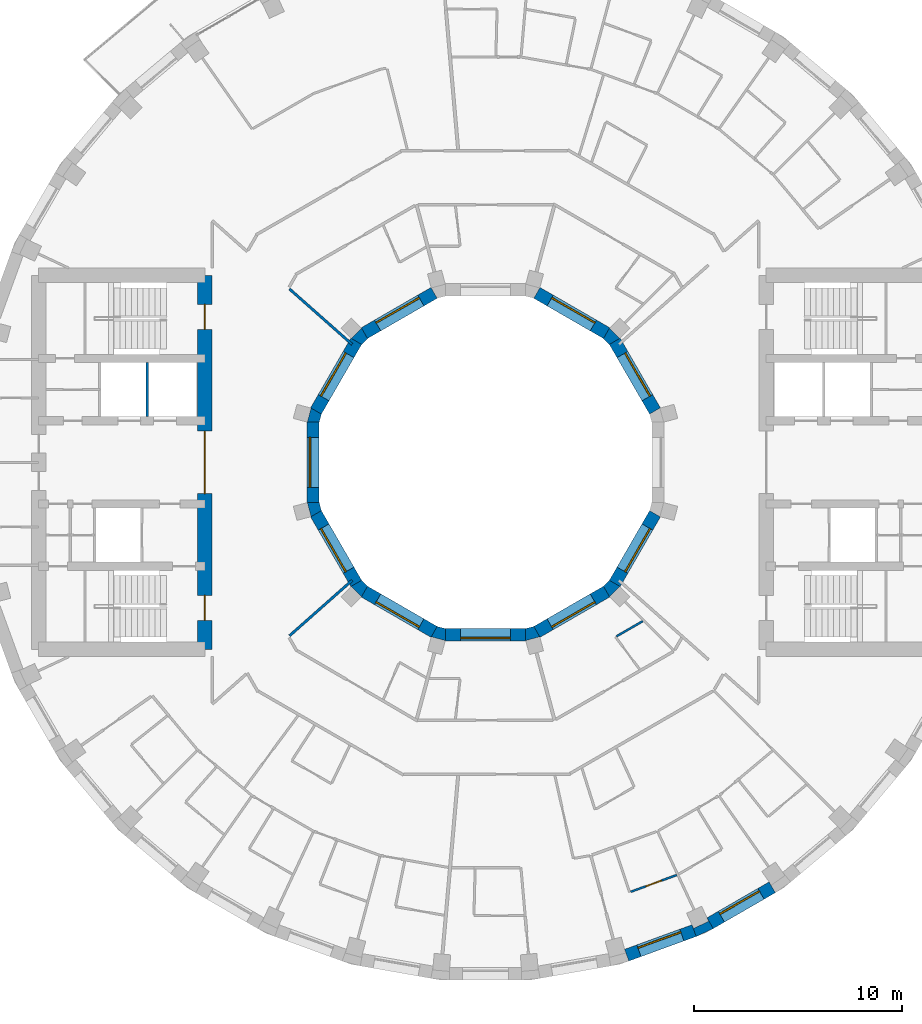
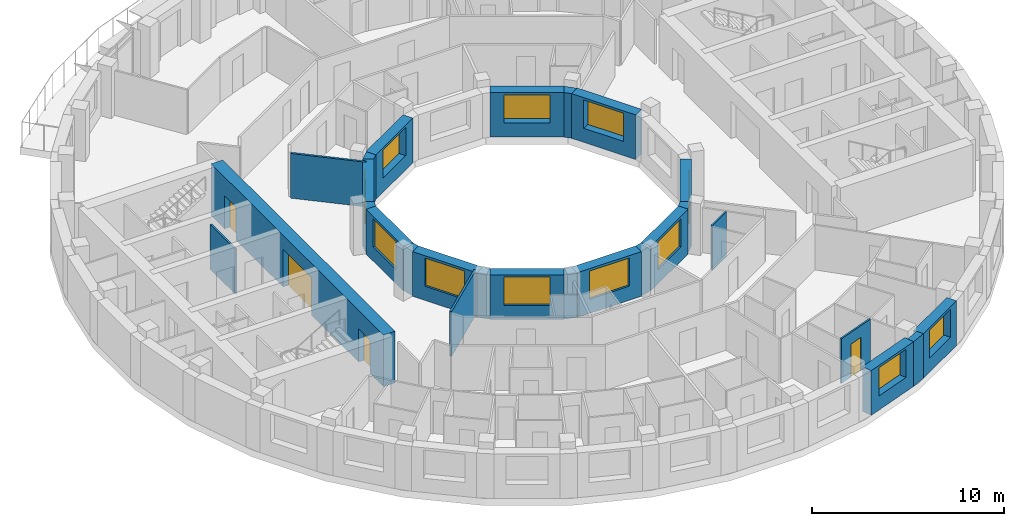
# One storey, part 7 of 14: 27 walls, 12 windows, 4 doors, 16 openings.
"""IFC4 building model written with IfcOpenShell, lengths in metres."""

from ifc_helpers import new_model, si_unit, direction, frame, frame_2d, origin, place, context, subcontext, project, spatial, polyline, rectangle, outline, extrude, material, layer, layer_set, type_object, element, fill, save


model = new_model("IFC4")

# Units and contexts
model_context = context("Model", 3, precision=1e-05, world=origin(), true_north=direction((0.0, 1.0)))
body_context = subcontext(model_context, "Body", "Model", "MODEL_VIEW")
ifc_project = project(units=[si_unit("LENGTHUNIT", "METRE"), si_unit("AREAUNIT", "SQUARE_METRE"), si_unit("VOLUMEUNIT", "CUBIC_METRE"), si_unit("PLANEANGLEUNIT", "RADIAN"), si_unit("MASSUNIT", "GRAM", prefix="KILO")], contexts=[model_context])

# Site, building, storey
site_placement = place(None, origin())
site = spatial("IfcSite", under=ifc_project, at=site_placement, CompositionType="ELEMENT")
building_placement = place(site_placement, origin())
building = spatial("IfcBuilding", under=site, at=building_placement, Name="Saqina Gate Tower", CompositionType="ELEMENT")
storey_placement = place(building_placement, frame((0.0, 0.0, 213.60009765625)))
storey = spatial("IfcBuildingStorey", under=building, at=storey_placement, Name="L61", CompositionType="ELEMENT", Elevation=213.60009765625)

# Wall
ifc_material_1 = material(Name="Brick masonry (buff)", Category="masonry")
wall_type_1 = type_object("IfcWallType", Name="BRICK PIER COPING BUFF", PredefinedType="SOLIDWALL", material=ifc_material_1)
wall_1_placement = place(storey_placement, origin())
element("IfcWall", 1, at=wall_1_placement, inside=storey, type_object=wall_type_1, Name="Pier cap L61 column 30", PredefinedType="SOLIDWALL", context=body_context, shape_type="SweptSolid", body=[
    extrude(outline(polyline([(10.958740234375, -22.4306640625), (10.65869140625, -21.9111328125), (10.73779296875, -22.080810546875), (10.0126953125, -22.4189453125), (9.93359375, -22.249267578125), (10.138916015625, -22.81298828125), (10.958740234375, -22.4306640625)])), origin(), (0.0, 0.0, 1.0), 2.849853515625),
])

# Wall, opening, window
ifc_material_2 = material(Name="Brick masonry (buff)", Category="masonry")
ifc_layer_1 = layer(ifc_material_2, 0.60009765625)
ifc_layer_set_1 = layer_set([ifc_layer_1], Name="FW-BRICK-BUFF")
wall_type_2 = type_object("IfcWallType", Name="FW-BRICK-BUFF", PredefinedType="SOLIDWALL", material=ifc_layer_set_1)
wall_2_placement = place(storey_placement, frame((6.79443359375, -23.7109375, 0.0), z_axis=(0.0, 0.0, 1.0), x_axis=(0.93968799822, 0.342032843455, 0.0)))
wall_2 = element("IfcWall", 2, at=wall_2_placement, inside=storey, type_object=wall_type_2, Name="Facade wall L61 facet 29", PredefinedType="SOLIDWALL", context=body_context, shape_type="SweptSolid", body=[
    extrude(rectangle(XDim=3.44970703125, YDim=0.60009765625, at=frame_2d((1.724853515625, 0.0))), origin(), (0.0, 0.0, 1.0), 2.849853515625),
])
opening_1_placement = place(wall_2_placement, frame((0.625, 0.0, 0.89990234375)))
opening_1 = element("IfcOpeningElement", 3, at=opening_1_placement, cuts=wall_2, Name="Opening G18-W18", PredefinedType="OPENING", context=body_context, shape_type="SweptSolid", body=[
    extrude(rectangle(XDim=2.199951171875, YDim=1.800048828125, at=frame_2d((1.10009765625, 0.89990234375))), frame((0.0, 0.31201171875, 0.0), z_axis=(0.0, -1.0, 0.0), x_axis=(1.0, 0.0, 0.0)), (0.0, 0.0, 1.0), 0.6240234375),
])
ifc_material_3 = material(Name="Aluminium glazing", Category="aluminium")
window_type_1 = type_object("IfcWindowType", Name="WN-C", PartitioningType="SINGLE_PANEL", PredefinedType="WINDOW", material=ifc_material_3)
window_1_placement = place(opening_1_placement, origin())
window_1 = element("IfcWindow", 4, at=window_1_placement, inside=storey, type_object=window_type_1, Name="Window L61 facet 29", OverallHeight=1.800048828125, OverallWidth=2.199951171875, PartitioningType="SINGLE_PANEL", PredefinedType="WINDOW", context=body_context, shape_type="SweptSolid", body=[
    extrude(rectangle(XDim=2.199951171875, YDim=1.800048828125, at=frame_2d((1.10009765625, 0.89990234375))), frame((0.0, 0.179931640625, 0.0), z_axis=(0.0, -1.0, 0.0), x_axis=(1.0, 0.0, 0.0)), (0.0, 0.0, 1.0), 0.06005859375),
])
fill(opening_1, window_1)

wall_3_placement = place(storey_placement, frame((10.80859375, -22.1708984375, 0.0), z_axis=(0.0, 0.0, 1.0), x_axis=(0.86602648383, 0.499998129301, 0.0)))
wall_3 = element("IfcWall", 5, at=wall_3_placement, inside=storey, type_object=wall_type_2, Name="Facade wall L61 facet 30", PredefinedType="SOLIDWALL", context=body_context, shape_type="SweptSolid", body=[
    extrude(rectangle(XDim=3.44970703125, YDim=0.60009765625, at=frame_2d((1.724853515625, 0.0))), origin(), (0.0, 0.0, 1.0), 2.849853515625),
])
opening_2_placement = place(wall_3_placement, frame((0.625, 0.0, 0.89990234375)))
opening_2 = element("IfcOpeningElement", 6, at=opening_2_placement, cuts=wall_3, Name="Opening G18-W19", PredefinedType="OPENING", context=body_context, shape_type="SweptSolid", body=[
    extrude(rectangle(XDim=2.199951171875, YDim=1.800048828125, at=frame_2d((1.10009765625, 0.89990234375))), frame((0.0, 0.31201171875, 0.0), z_axis=(0.0, -1.0, 0.0), x_axis=(1.0, 0.0, 0.0)), (0.0, 0.0, 1.0), 0.6240234375),
])
window_2_placement = place(opening_2_placement, origin())
window_2 = element("IfcWindow", 7, at=window_2_placement, inside=storey, type_object=window_type_1, Name="Window L61 facet 30", OverallHeight=1.800048828125, OverallWidth=2.199951171875, PartitioningType="SINGLE_PANEL", PredefinedType="WINDOW", context=body_context, shape_type="SweptSolid", body=[
    extrude(rectangle(XDim=2.199951171875, YDim=1.800048828125, at=frame_2d((1.10009765625, 0.89990234375))), frame((0.0, 0.179931640625, 0.0), z_axis=(0.0, -1.0, 0.0), x_axis=(1.0, 0.0, 0.0)), (0.0, 0.0, 1.0), 0.06005859375),
])
fill(opening_2, window_2)

ifc_material_4 = material(Name="Glazed ceramic tile", Category="ceramic")
ifc_layer_2 = layer(ifc_material_4, 0.60009765625)
ifc_layer_set_2 = layer_set([ifc_layer_2], Name="IW-TILE")
wall_type_3 = type_object("IfcWallType", Name="IW-TILE", PredefinedType="SOLIDWALL", material=ifc_layer_set_2)
wall_4_placement = place(storey_placement, frame((8.155517578125, 2.474365234375, 0.0), z_axis=(0.0, 0.0, 1.0), x_axis=(-0.500033728941, 0.866005929495, 0.0)))
wall_4 = element("IfcWall", 8, at=wall_4_placement, inside=storey, type_object=wall_type_3, Name="Well wall L61 facet 1", PredefinedType="SOLIDWALL", context=body_context, shape_type="SweptSolid", body=[
    extrude(rectangle(XDim=3.869873046875, YDim=0.60009765625, at=frame_2d((1.93505859375, 0.0))), origin(), (0.0, 0.0, 1.0), 2.849853515625),
])
opening_3_placement = place(wall_4_placement, frame((0.73486328125, 0.0, 0.89990234375)))
opening_3 = element("IfcOpeningElement", 9, at=opening_3_placement, cuts=wall_4, Name="Opening G18-W23", PredefinedType="OPENING", context=body_context, shape_type="SweptSolid", body=[
    extrude(rectangle(XDim=2.39990234375, YDim=1.800048828125, at=frame_2d((1.199951171875, 0.89990234375))), frame((0.0, 0.31201171875, 0.0), z_axis=(0.0, -1.0, 0.0), x_axis=(1.0, 0.0, 0.0)), (0.0, 0.0, 1.0), 0.6240234375),
])
ifc_material_5 = material(Name="Aluminium glazing", Category="aluminium")
window_type_2 = type_object("IfcWindowType", Name="WN-W", PartitioningType="SINGLE_PANEL", PredefinedType="WINDOW", material=ifc_material_5)
window_3_placement = place(opening_3_placement, origin())
window_3 = element("IfcWindow", 10, at=window_3_placement, inside=storey, type_object=window_type_2, Name="Well window L61 facet 1", OverallHeight=1.800048828125, OverallWidth=2.39990234375, PartitioningType="SINGLE_PANEL", PredefinedType="WINDOW", context=body_context, shape_type="SweptSolid", body=[
    extrude(rectangle(XDim=2.39990234375, YDim=1.800048828125, at=frame_2d((1.199951171875, 0.89990234375))), frame((0.0, -0.119873046875, 0.0), z_axis=(0.0, -1.0, 0.0), x_axis=(1.0, 0.0, 0.0)), (0.0, 0.0, 1.0), 0.06005859375),
])
fill(opening_3, window_3)

wall_5_placement = place(storey_placement, frame((5.82568359375, 6.220458984375, 0.0), z_axis=(0.0, 0.0, 1.0), x_axis=(-0.866005929495, 0.500033728941, 0.0)))
wall_5 = element("IfcWall", 11, at=wall_5_placement, inside=storey, type_object=wall_type_3, Name="Well wall L61 facet 2", PredefinedType="SOLIDWALL", context=body_context, shape_type="SweptSolid", body=[
    extrude(rectangle(XDim=3.869873046875, YDim=0.60009765625, at=frame_2d((1.93505859375, 0.0))), origin(), (0.0, 0.0, 1.0), 2.849853515625),
])
opening_4_placement = place(wall_5_placement, frame((0.73486328125, 0.0, 0.89990234375)))
opening_4 = element("IfcOpeningElement", 12, at=opening_4_placement, cuts=wall_5, Name="Opening G18-W24", PredefinedType="OPENING", context=body_context, shape_type="SweptSolid", body=[
    extrude(rectangle(XDim=2.39990234375, YDim=1.800048828125, at=frame_2d((1.199951171875, 0.89990234375))), frame((0.0, 0.31201171875, 0.0), z_axis=(0.0, -1.0, 0.0), x_axis=(1.0, 0.0, 0.0)), (0.0, 0.0, 1.0), 0.6240234375),
])
window_4_placement = place(opening_4_placement, origin())
window_4 = element("IfcWindow", 13, at=window_4_placement, inside=storey, type_object=window_type_2, Name="Well window L61 facet 2", OverallHeight=1.800048828125, OverallWidth=2.39990234375, PartitioningType="SINGLE_PANEL", PredefinedType="WINDOW", context=body_context, shape_type="SweptSolid", body=[
    extrude(rectangle(XDim=2.39990234375, YDim=1.800048828125, at=frame_2d((1.199951171875, 0.89990234375))), frame((0.0, -0.119873046875, 0.0), z_axis=(0.0, -1.0, 0.0), x_axis=(1.0, 0.0, 0.0)), (0.0, 0.0, 1.0), 0.06005859375),
])
fill(opening_4, window_4)

wall_6_placement = place(storey_placement, frame((-2.474365234375, 8.155517578125, 0.0), z_axis=(0.0, 0.0, 1.0), x_axis=(-0.866005929495, -0.500033728941, 0.0)))
wall_6 = element("IfcWall", 14, at=wall_6_placement, inside=storey, type_object=wall_type_3, Name="Well wall L61 facet 4", PredefinedType="SOLIDWALL", context=body_context, shape_type="SweptSolid", body=[
    extrude(rectangle(XDim=3.869873046875, YDim=0.60009765625, at=frame_2d((1.93505859375, 0.0))), origin(), (0.0, 0.0, 1.0), 2.849853515625),
])
opening_5_placement = place(wall_6_placement, frame((0.73486328125, 0.0, 0.89990234375)))
opening_5 = element("IfcOpeningElement", 15, at=opening_5_placement, cuts=wall_6, Name="Opening G18-W26", PredefinedType="OPENING", context=body_context, shape_type="SweptSolid", body=[
    extrude(rectangle(XDim=2.39990234375, YDim=1.800048828125, at=frame_2d((1.199951171875, 0.89990234375))), frame((0.0, 0.31201171875, 0.0), z_axis=(0.0, -1.0, 0.0), x_axis=(1.0, 0.0, 0.0)), (0.0, 0.0, 1.0), 0.6240234375),
])
window_5_placement = place(opening_5_placement, origin())
window_5 = element("IfcWindow", 16, at=window_5_placement, inside=storey, type_object=window_type_2, Name="Well window L61 facet 4", OverallHeight=1.800048828125, OverallWidth=2.39990234375, PartitioningType="SINGLE_PANEL", PredefinedType="WINDOW", context=body_context, shape_type="SweptSolid", body=[
    extrude(rectangle(XDim=2.39990234375, YDim=1.800048828125, at=frame_2d((1.199951171875, 0.89990234375))), frame((0.0, -0.119873046875, 0.0), z_axis=(0.0, -1.0, 0.0), x_axis=(1.0, 0.0, 0.0)), (0.0, 0.0, 1.0), 0.06005859375),
])
fill(opening_5, window_5)

wall_7_placement = place(storey_placement, frame((-6.220458984375, 5.82568359375, 0.0), z_axis=(0.0, 0.0, 1.0), x_axis=(-0.500033728941, -0.866005929495, 0.0)))
wall_7 = element("IfcWall", 17, at=wall_7_placement, inside=storey, type_object=wall_type_3, Name="Well wall L61 facet 5", PredefinedType="SOLIDWALL", context=body_context, shape_type="SweptSolid", body=[
    extrude(rectangle(XDim=3.869873046875, YDim=0.60009765625, at=frame_2d((1.93505859375, 0.0))), origin(), (0.0, 0.0, 1.0), 2.849853515625),
])
opening_6_placement = place(wall_7_placement, frame((0.73486328125, 0.0, 0.89990234375)))
opening_6 = element("IfcOpeningElement", 18, at=opening_6_placement, cuts=wall_7, Name="Opening G18-W27", PredefinedType="OPENING", context=body_context, shape_type="SweptSolid", body=[
    extrude(rectangle(XDim=2.39990234375, YDim=1.800048828125, at=frame_2d((1.199951171875, 0.89990234375))), frame((0.0, 0.31201171875, 0.0), z_axis=(0.0, -1.0, 0.0), x_axis=(1.0, 0.0, 0.0)), (0.0, 0.0, 1.0), 0.6240234375),
])
window_6_placement = place(opening_6_placement, origin())
window_6 = element("IfcWindow", 19, at=window_6_placement, inside=storey, type_object=window_type_2, Name="Well window L61 facet 5", OverallHeight=1.800048828125, OverallWidth=2.39990234375, PartitioningType="SINGLE_PANEL", PredefinedType="WINDOW", context=body_context, shape_type="SweptSolid", body=[
    extrude(rectangle(XDim=2.39990234375, YDim=1.800048828125, at=frame_2d((1.199951171875, 0.89990234375))), frame((0.0, -0.119873046875, 0.0), z_axis=(0.0, -1.0, 0.0), x_axis=(1.0, 0.0, 0.0)), (0.0, 0.0, 1.0), 0.06005859375),
])
fill(opening_6, window_6)

wall_8_placement = place(storey_placement, frame((-8.300048828125, 1.934814453125, 0.0), z_axis=(0.0, 0.0, 1.0), x_axis=(0.0, -1.0, 0.0)))
wall_8 = element("IfcWall", 20, at=wall_8_placement, inside=storey, type_object=wall_type_3, Name="Well wall L61 facet 6", PredefinedType="SOLIDWALL", context=body_context, shape_type="SweptSolid", body=[
    extrude(rectangle(XDim=3.86962890625, YDim=0.60009765625, at=frame_2d((1.934814453125, 0.0))), origin(), (0.0, 0.0, 1.0), 2.849853515625),
])
opening_7_placement = place(wall_8_placement, frame((0.73486328125, 0.0, 0.89990234375)))
opening_7 = element("IfcOpeningElement", 21, at=opening_7_placement, cuts=wall_8, Name="Opening G18-W28", PredefinedType="OPENING", context=body_context, shape_type="SweptSolid", body=[
    extrude(rectangle(XDim=2.39990234375, YDim=1.800048828125, at=frame_2d((1.199951171875, 0.89990234375))), frame((0.0, 0.31201171875, 0.0), z_axis=(0.0, -1.0, 0.0), x_axis=(1.0, 0.0, 0.0)), (0.0, 0.0, 1.0), 0.6240234375),
])
window_7_placement = place(opening_7_placement, origin())
window_7 = element("IfcWindow", 22, at=window_7_placement, inside=storey, type_object=window_type_2, Name="Well window L61 facet 6", OverallHeight=1.800048828125, OverallWidth=2.39990234375, PartitioningType="SINGLE_PANEL", PredefinedType="WINDOW", context=body_context, shape_type="SweptSolid", body=[
    extrude(rectangle(XDim=2.39990234375, YDim=1.800048828125, at=frame_2d((1.199951171875, 0.89990234375))), frame((0.0, -0.119873046875, 0.0), z_axis=(0.0, -1.0, 0.0), x_axis=(1.0, 0.0, 0.0)), (0.0, 0.0, 1.0), 0.06005859375),
])
fill(opening_7, window_7)

wall_9_placement = place(storey_placement, frame((-8.155517578125, -2.474365234375, 0.0), z_axis=(0.0, 0.0, 1.0), x_axis=(0.500033728941, -0.866005929495, 0.0)))
wall_9 = element("IfcWall", 23, at=wall_9_placement, inside=storey, type_object=wall_type_3, Name="Well wall L61 facet 7", PredefinedType="SOLIDWALL", context=body_context, shape_type="SweptSolid", body=[
    extrude(rectangle(XDim=3.869873046875, YDim=0.60009765625, at=frame_2d((1.93505859375, 0.0))), origin(), (0.0, 0.0, 1.0), 2.849853515625),
])
opening_8_placement = place(wall_9_placement, frame((0.73486328125, 0.0, 0.89990234375)))
opening_8 = element("IfcOpeningElement", 24, at=opening_8_placement, cuts=wall_9, Name="Opening G18-W29", PredefinedType="OPENING", context=body_context, shape_type="SweptSolid", body=[
    extrude(rectangle(XDim=2.39990234375, YDim=1.800048828125, at=frame_2d((1.199951171875, 0.89990234375))), frame((0.0, 0.31201171875, 0.0), z_axis=(0.0, -1.0, 0.0), x_axis=(1.0, 0.0, 0.0)), (0.0, 0.0, 1.0), 0.6240234375),
])
window_8_placement = place(opening_8_placement, origin())
window_8 = element("IfcWindow", 25, at=window_8_placement, inside=storey, type_object=window_type_2, Name="Well window L61 facet 7", OverallHeight=1.800048828125, OverallWidth=2.39990234375, PartitioningType="SINGLE_PANEL", PredefinedType="WINDOW", context=body_context, shape_type="SweptSolid", body=[
    extrude(rectangle(XDim=2.39990234375, YDim=1.800048828125, at=frame_2d((1.199951171875, 0.89990234375))), frame((0.0, -0.119873046875, 0.0), z_axis=(0.0, -1.0, 0.0), x_axis=(1.0, 0.0, 0.0)), (0.0, 0.0, 1.0), 0.06005859375),
])
fill(opening_8, window_8)

wall_10_placement = place(storey_placement, frame((-5.82568359375, -6.220458984375, 0.0), z_axis=(0.0, 0.0, 1.0), x_axis=(0.866005929495, -0.500033728941, 0.0)))
wall_10 = element("IfcWall", 26, at=wall_10_placement, inside=storey, type_object=wall_type_3, Name="Well wall L61 facet 8", PredefinedType="SOLIDWALL", context=body_context, shape_type="SweptSolid", body=[
    extrude(rectangle(XDim=3.869873046875, YDim=0.60009765625, at=frame_2d((1.93505859375, 0.0))), origin(), (0.0, 0.0, 1.0), 2.849853515625),
])
opening_9_placement = place(wall_10_placement, frame((0.73486328125, 0.0, 0.89990234375)))
opening_9 = element("IfcOpeningElement", 27, at=opening_9_placement, cuts=wall_10, Name="Opening G18-W30", PredefinedType="OPENING", context=body_context, shape_type="SweptSolid", body=[
    extrude(rectangle(XDim=2.39990234375, YDim=1.800048828125, at=frame_2d((1.199951171875, 0.89990234375))), frame((0.0, 0.31201171875, 0.0), z_axis=(0.0, -1.0, 0.0), x_axis=(1.0, 0.0, 0.0)), (0.0, 0.0, 1.0), 0.6240234375),
])
window_9_placement = place(opening_9_placement, origin())
window_9 = element("IfcWindow", 28, at=window_9_placement, inside=storey, type_object=window_type_2, Name="Well window L61 facet 8", OverallHeight=1.800048828125, OverallWidth=2.39990234375, PartitioningType="SINGLE_PANEL", PredefinedType="WINDOW", context=body_context, shape_type="SweptSolid", body=[
    extrude(rectangle(XDim=2.39990234375, YDim=1.800048828125, at=frame_2d((1.199951171875, 0.89990234375))), frame((0.0, -0.119873046875, 0.0), z_axis=(0.0, -1.0, 0.0), x_axis=(1.0, 0.0, 0.0)), (0.0, 0.0, 1.0), 0.06005859375),
])
fill(opening_9, window_9)

wall_11_placement = place(storey_placement, frame((-1.934814453125, -8.300048828125, 0.0), z_axis=(0.0, 0.0, 1.0), x_axis=(1.0, 0.0, 0.0)))
wall_11 = element("IfcWall", 29, at=wall_11_placement, inside=storey, type_object=wall_type_3, Name="Well wall L61 facet 9", PredefinedType="SOLIDWALL", context=body_context, shape_type="SweptSolid", body=[
    extrude(rectangle(XDim=3.86962890625, YDim=0.60009765625, at=frame_2d((1.934814453125, 0.0))), origin(), (0.0, 0.0, 1.0), 2.849853515625),
])
opening_10_placement = place(wall_11_placement, frame((0.73486328125, 0.0, 0.89990234375)))
opening_10 = element("IfcOpeningElement", 30, at=opening_10_placement, cuts=wall_11, Name="Opening G18-W31", PredefinedType="OPENING", context=body_context, shape_type="SweptSolid", body=[
    extrude(rectangle(XDim=2.39990234375, YDim=1.800048828125, at=frame_2d((1.199951171875, 0.89990234375))), frame((0.0, 0.31201171875, 0.0), z_axis=(0.0, -1.0, 0.0), x_axis=(1.0, 0.0, 0.0)), (0.0, 0.0, 1.0), 0.6240234375),
])
window_10_placement = place(opening_10_placement, origin())
window_10 = element("IfcWindow", 31, at=window_10_placement, inside=storey, type_object=window_type_2, Name="Well window L61 facet 9", OverallHeight=1.800048828125, OverallWidth=2.39990234375, PartitioningType="SINGLE_PANEL", PredefinedType="WINDOW", context=body_context, shape_type="SweptSolid", body=[
    extrude(rectangle(XDim=2.39990234375, YDim=1.800048828125, at=frame_2d((1.199951171875, 0.89990234375))), frame((0.0, -0.119873046875, 0.0), z_axis=(0.0, -1.0, 0.0), x_axis=(1.0, 0.0, 0.0)), (0.0, 0.0, 1.0), 0.06005859375),
])
fill(opening_10, window_10)

wall_12_placement = place(storey_placement, frame((2.474365234375, -8.155517578125, 0.0), z_axis=(0.0, 0.0, 1.0), x_axis=(0.866005929495, 0.500033728941, 0.0)))
wall_12 = element("IfcWall", 32, at=wall_12_placement, inside=storey, type_object=wall_type_3, Name="Well wall L61 facet 10", PredefinedType="SOLIDWALL", context=body_context, shape_type="SweptSolid", body=[
    extrude(rectangle(XDim=3.869873046875, YDim=0.60009765625, at=frame_2d((1.93505859375, 0.0))), origin(), (0.0, 0.0, 1.0), 2.849853515625),
])
opening_11_placement = place(wall_12_placement, frame((0.73486328125, 0.0, 0.89990234375)))
opening_11 = element("IfcOpeningElement", 33, at=opening_11_placement, cuts=wall_12, Name="Opening G18-W32", PredefinedType="OPENING", context=body_context, shape_type="SweptSolid", body=[
    extrude(rectangle(XDim=2.39990234375, YDim=1.800048828125, at=frame_2d((1.199951171875, 0.89990234375))), frame((0.0, 0.31201171875, 0.0), z_axis=(0.0, -1.0, 0.0), x_axis=(1.0, 0.0, 0.0)), (0.0, 0.0, 1.0), 0.6240234375),
])
window_11_placement = place(opening_11_placement, origin())
window_11 = element("IfcWindow", 34, at=window_11_placement, inside=storey, type_object=window_type_2, Name="Well window L61 facet 10", OverallHeight=1.800048828125, OverallWidth=2.39990234375, PartitioningType="SINGLE_PANEL", PredefinedType="WINDOW", context=body_context, shape_type="SweptSolid", body=[
    extrude(rectangle(XDim=2.39990234375, YDim=1.800048828125, at=frame_2d((1.199951171875, 0.89990234375))), frame((0.0, -0.119873046875, 0.0), z_axis=(0.0, -1.0, 0.0), x_axis=(1.0, 0.0, 0.0)), (0.0, 0.0, 1.0), 0.06005859375),
])
fill(opening_11, window_11)

wall_13_placement = place(storey_placement, frame((6.220458984375, -5.82568359375, 0.0), z_axis=(0.0, 0.0, 1.0), x_axis=(0.500033728941, 0.866005929495, 0.0)))
wall_13 = element("IfcWall", 35, at=wall_13_placement, inside=storey, type_object=wall_type_3, Name="Well wall L61 facet 11", PredefinedType="SOLIDWALL", context=body_context, shape_type="SweptSolid", body=[
    extrude(rectangle(XDim=3.869873046875, YDim=0.60009765625, at=frame_2d((1.93505859375, 0.0))), origin(), (0.0, 0.0, 1.0), 2.849853515625),
])
opening_12_placement = place(wall_13_placement, frame((0.73486328125, 0.0, 0.89990234375)))
opening_12 = element("IfcOpeningElement", 36, at=opening_12_placement, cuts=wall_13, Name="Opening G18-W33", PredefinedType="OPENING", context=body_context, shape_type="SweptSolid", body=[
    extrude(rectangle(XDim=2.39990234375, YDim=1.800048828125, at=frame_2d((1.199951171875, 0.89990234375))), frame((0.0, 0.31201171875, 0.0), z_axis=(0.0, -1.0, 0.0), x_axis=(1.0, 0.0, 0.0)), (0.0, 0.0, 1.0), 0.6240234375),
])
window_12_placement = place(opening_12_placement, origin())
window_12 = element("IfcWindow", 37, at=window_12_placement, inside=storey, type_object=window_type_2, Name="Well window L61 facet 11", OverallHeight=1.800048828125, OverallWidth=2.39990234375, PartitioningType="SINGLE_PANEL", PredefinedType="WINDOW", context=body_context, shape_type="SweptSolid", body=[
    extrude(rectangle(XDim=2.39990234375, YDim=1.800048828125, at=frame_2d((1.199951171875, 0.89990234375))), frame((0.0, -0.119873046875, 0.0), z_axis=(0.0, -1.0, 0.0), x_axis=(1.0, 0.0, 0.0)), (0.0, 0.0, 1.0), 0.06005859375),
])
fill(opening_12, window_12)

# Wall, opening, door
ifc_material_6 = material(Name="Gypsum board on steel studs, 100 mm", Category="steel")
ifc_layer_3 = layer(ifc_material_6, 0.10009765625)
ifc_layer_set_3 = layer_set([ifc_layer_3], Name="PARTITION 100")
wall_type_4 = type_object("IfcWallType", Name="PARTITION 100", PredefinedType="PARTITIONING", material=ifc_layer_set_3)
wall_14_placement = place(storey_placement, frame((6.98193359375, -20.662841796875, 0.0), z_axis=(0.0, 0.0, 1.0), x_axis=(0.939639539443, 0.34216594792, 0.0)))
wall_14 = element("IfcWall", 38, at=wall_14_placement, inside=storey, type_object=wall_type_4, Name="PARTITION PW3-50", PredefinedType="PARTITIONING", context=body_context, shape_type="SweptSolid", body=[
    extrude(rectangle(XDim=2.36376953125, YDim=0.10009765625, at=frame_2d((1.181884765625, 0.0))), origin(), (0.0, 0.0, 1.0), 2.849853515625),
])
opening_13_placement = place(wall_14_placement, frame((0.781982421875, 0.0, 0.0)))
opening_13 = element("IfcOpeningElement", 39, at=opening_13_placement, cuts=wall_14, Name="Opening G18-D49", PredefinedType="OPENING", context=body_context, shape_type="SweptSolid", body=[
    extrude(rectangle(XDim=0.800048828125, YDim=2.10009765625, at=frame_2d((0.39990234375, 1.050048828125))), frame((0.0, 0.06201171875, 0.0), z_axis=(0.0, -1.0, 0.0), x_axis=(1.0, 0.0, 0.0)), (0.0, 0.0, 1.0), 0.1240234375),
])
ifc_material_7 = material(Name="Timber door leaf, 800 mm", Category="wood")
door_type_1 = type_object("IfcDoorType", Name="DOOR 800 TIMBER", OperationType="SINGLE_SWING_LEFT", PredefinedType="DOOR", material=ifc_material_7)
door_1_placement = place(opening_13_placement, frame((0.800048828125, 0.0, 0.0), z_axis=(0.0, 0.0, 1.0), x_axis=(-1.0, 0.0, 0.0)))
door_1 = element("IfcDoor", 40, at=door_1_placement, inside=storey, type_object=door_type_1, Name="DOOR G18-D49", OperationType="SINGLE_SWING_LEFT", OverallHeight=2.10009765625, OverallWidth=0.800048828125, PredefinedType="DOOR", context=body_context, shape_type="SweptSolid", body=[
    extrude(rectangle(XDim=0.800048828125, YDim=2.10009765625, at=frame_2d((0.39990234375, 1.050048828125))), frame((0.0, 0.02490234375, 0.0), z_axis=(0.0, -1.0, 0.0), x_axis=(1.0, 0.0, 0.0)), (0.0, 0.0, 1.0), 0.050048828125),
])
fill(opening_13, door_1)

# Walls
wall_15_placement = place(storey_placement, frame((6.29833984375, -8.3720703125, 0.0), z_axis=(0.0, 0.0, 1.0), x_axis=(0.865972313888, 0.500091943127, 0.0)))
element("IfcWall", 41, at=wall_15_placement, inside=storey, type_object=wall_type_4, Name="PARTITION PW3-58", PredefinedType="PARTITIONING", context=body_context, shape_type="SweptSolid", body=[
    extrude(rectangle(XDim=1.468017578125, YDim=0.10009765625, at=frame_2d((0.73388671875, 0.0))), origin(), (0.0, 0.0, 1.0), 2.849853515625),
])
ifc_material_8 = material(Name="Gypsum board on steel studs, 125 mm, fire rated", Category="steel")
ifc_layer_4 = layer(ifc_material_8, 0.125)
ifc_layer_set_4 = layer_set([ifc_layer_4], Name="PARTITION EI 30 125")
wall_type_5 = type_object("IfcWallType", Name="PARTITION EI 30 125", PredefinedType="PARTITIONING", material=ifc_layer_set_4)
for number, where, z_axis, x_axis, name in (
    (42, (-9.43212890625, 8.3447265625, 0.0), (0.0, 0.0, 1.0), (0.748978023249, -0.662594839015, 0.0), "PARTITION PW1-12"),
    (43, (-9.43212890625, -8.3447265625, 0.0), (0.0, 0.0, 1.0), (0.748978023249, 0.662594839015, 0.0), "PARTITION PW1-43"),
):
    element("IfcWall", number, at=place(storey_placement, frame(where, z_axis=z_axis, x_axis=x_axis)), inside=storey, type_object=wall_type_5, Name=name, PredefinedType="PARTITIONING", context=body_context, shape_type="SweptSolid", body=[
        extrude(rectangle(XDim=4.021728515625, YDim=0.125, at=frame_2d((2.0107421875, 0.0))), origin(), (0.0, 0.0, 1.0), 2.849853515625),
    ])
ifc_material_9 = material(Name="Autoclaved aerated concrete block", Category="concrete")
ifc_layer_5 = layer(ifc_material_9, 0.1201171875)
ifc_layer_set_5 = layer_set([ifc_layer_5], Name="SHAFT PARTITION")
wall_type_6 = type_object("IfcWallType", Name="SHAFT PARTITION", PredefinedType="PARTITIONING", material=ifc_layer_set_5)
wall_16_placement = place(storey_placement, frame((-16.280029296875, 2.199951171875, 0.0), z_axis=(0.0, 0.0, 1.0), x_axis=(0.0, 1.0, 0.0)))
element("IfcWall", 44, at=wall_16_placement, inside=storey, type_object=wall_type_6, Name="L61-CP-W06", PredefinedType="PARTITIONING", context=body_context, shape_type="SweptSolid", body=[
    extrude(rectangle(XDim=2.60009765625, YDim=0.1201171875, at=frame_2d((1.300048828125, 0.0))), origin(), (0.0, 0.0, 1.0), 2.849853515625),
])

# Wall, openings, doors
ifc_material_10 = material(Name="Concrete C60/75", Category="concrete")
ifc_layer_6 = layer(ifc_material_10, 0.699951171875)
ifc_layer_set_6 = layer_set([ifc_layer_6], Name="Concrete C60/75")
wall_type_7 = type_object("IfcWallType", Name="STR-CORE WALL-C-O", PredefinedType="SHEAR", material=ifc_layer_set_6)
wall_17_placement = place(storey_placement, frame((-13.5, -9.0, 0.0), z_axis=(0.0, 0.0, 1.0), x_axis=(0.0, 1.0, 0.0)))
wall_17 = element("IfcWall", 45, at=wall_17_placement, inside=storey, type_object=wall_type_7, Name="CORE WALL L61 W-W1", PredefinedType="SHEAR", context=body_context, shape_type="SweptSolid", body=[
    extrude(rectangle(XDim=18.0, YDim=0.699951171875, at=frame_2d((9.0, 0.0))), origin(), (0.0, 0.0, 1.0), 3.2998046875),
])
opening_14_placement = place(wall_17_placement, frame((15.39990234375, 0.0, 0.0)))
opening_14 = element("IfcOpeningElement", 46, at=opening_14_placement, cuts=wall_17, Name="Opening G18-D121", PredefinedType="OPENING", context=body_context, shape_type="SweptSolid", body=[
    extrude(rectangle(XDim=1.199951171875, YDim=2.10009765625, at=frame_2d((0.60009765625, 1.050048828125))), frame((0.0, 0.362060546875, 0.0), z_axis=(0.0, -1.0, 0.0), x_axis=(1.0, 0.0, 0.0)), (0.0, 0.0, 1.0), 0.723876953125),
])
opening_15_placement = place(wall_17_placement, frame((1.39990234375, 0.0, 0.0)))
opening_15 = element("IfcOpeningElement", 47, at=opening_15_placement, cuts=wall_17, Name="Opening G18-D122", PredefinedType="OPENING", context=body_context, shape_type="SweptSolid", body=[
    extrude(rectangle(XDim=1.199951171875, YDim=2.10009765625, at=frame_2d((0.60009765625, 1.050048828125))), frame((0.0, 0.362060546875, 0.0), z_axis=(0.0, -1.0, 0.0), x_axis=(1.0, 0.0, 0.0)), (0.0, 0.0, 1.0), 0.723876953125),
])
opening_16_placement = place(wall_17_placement, frame((7.5, 0.0, 0.0)))
opening_16 = element("IfcOpeningElement", 48, at=opening_16_placement, cuts=wall_17, Name="Opening G18-D123", PredefinedType="OPENING", context=body_context, shape_type="SweptSolid", body=[
    extrude(rectangle(XDim=3.0, YDim=2.39990234375, at=frame_2d((1.5, 1.199951171875))), frame((0.0, 0.362060546875, 0.0), z_axis=(0.0, -1.0, 0.0), x_axis=(1.0, 0.0, 0.0)), (0.0, 0.0, 1.0), 0.723876953125),
])
ifc_material_11 = material(Name="Steel", Category="steel")
door_type_2 = type_object("IfcDoorType", Name="FIRE DOOR EI 60", OperationType="SINGLE_SWING_LEFT", PredefinedType="DOOR", material=ifc_material_11)
door_2_placement = place(opening_14_placement, origin())
door_2 = element("IfcDoor", 49, at=door_2_placement, inside=storey, type_object=door_type_2, Name="L61-CD-W32", OperationType="SINGLE_SWING_RIGHT", OverallHeight=2.10009765625, OverallWidth=1.199951171875, PredefinedType="DOOR", context=body_context, shape_type="SweptSolid", body=[
    extrude(rectangle(XDim=1.199951171875, YDim=2.10009765625, at=frame_2d((0.60009765625, 1.050048828125))), frame((0.0, 0.02490234375, 0.0), z_axis=(0.0, -1.0, 0.0), x_axis=(1.0, 0.0, 0.0)), (0.0, 0.0, 1.0), 0.050048828125),
])
fill(opening_14, door_2)
door_3_placement = place(opening_15_placement, origin())
door_3 = element("IfcDoor", 50, at=door_3_placement, inside=storey, type_object=door_type_2, Name="L61-CD-W33", OperationType="SINGLE_SWING_LEFT", OverallHeight=2.10009765625, OverallWidth=1.199951171875, PredefinedType="DOOR", context=body_context, shape_type="SweptSolid", body=[
    extrude(rectangle(XDim=1.199951171875, YDim=2.10009765625, at=frame_2d((0.60009765625, 1.050048828125))), frame((0.0, 0.02490234375, 0.0), z_axis=(0.0, -1.0, 0.0), x_axis=(1.0, 0.0, 0.0)), (0.0, 0.0, 1.0), 0.050048828125),
])
fill(opening_15, door_3)
ifc_material_12 = material(Name="Steel and fire-resisting glass", Category="steel")
door_type_3 = type_object("IfcDoorType", Name="LOBBY SCREEN DOOR", OperationType="DOUBLE_DOOR_SLIDING", PredefinedType="DOOR", material=ifc_material_12)
door_4_placement = place(opening_16_placement, origin())
door_4 = element("IfcDoor", 51, at=door_4_placement, inside=storey, type_object=door_type_3, Name="L61-CD-W34", OperationType="DOUBLE_DOOR_SLIDING", OverallHeight=2.39990234375, OverallWidth=3.0, PredefinedType="DOOR", context=body_context, shape_type="SweptSolid", body=[
    extrude(rectangle(XDim=3.0, YDim=2.39990234375, at=frame_2d((1.5, 1.199951171875))), frame((0.0, 0.02490234375, 0.0), z_axis=(0.0, -1.0, 0.0), x_axis=(1.0, 0.0, 0.0)), (0.0, 0.0, 1.0), 0.050048828125),
])
fill(opening_16, door_4)

# Walls
ifc_material_13 = material(Name="Glazed ceramic tile", Category="ceramic")
wall_type_8 = type_object("IfcWallType", Name="TILE PIER COPING", PredefinedType="SOLIDWALL", material=ifc_material_13)
wall_18_placement = place(storey_placement, origin())
element("IfcWall", 52, at=wall_18_placement, inside=storey, type_object=wall_type_8, Name="Well pier cap L61 column 2", PredefinedType="SOLIDWALL", context=body_context, shape_type="SweptSolid", body=[
    extrude(outline(polyline([(5.96240234375, 6.45751953125), (5.67578125, 5.960693359375), (5.960693359375, 5.67578125), (6.45751953125, 5.96240234375), (5.96240234375, 6.45751953125)])), origin(), (0.0, 0.0, 1.0), 2.849853515625),
])
wall_19_placement = place(storey_placement, origin())
element("IfcWall", 53, at=wall_19_placement, inside=storey, type_object=wall_type_8, Name="Well pier cap L61 column 5", PredefinedType="SOLIDWALL", context=body_context, shape_type="SweptSolid", body=[
    extrude(outline(polyline([(-6.45751953125, 5.96240234375), (-5.960693359375, 5.67578125), (-5.67578125, 5.960693359375), (-5.96240234375, 6.45751953125), (-6.45751953125, 5.96240234375)])), origin(), (0.0, 0.0, 1.0), 2.849853515625),
])
wall_20_placement = place(storey_placement, origin())
element("IfcWall", 54, at=wall_20_placement, inside=storey, type_object=wall_type_8, Name="Well pier cap L61 column 6", PredefinedType="SOLIDWALL", context=body_context, shape_type="SweptSolid", body=[
    extrude(outline(polyline([(-8.573486328125, 1.934814453125), (-8.0, 1.934814453125), (-7.895751953125, 2.32421875), (-8.392333984375, 2.611083984375), (-8.573486328125, 1.934814453125)])), origin(), (0.0, 0.0, 1.0), 2.849853515625),
])
wall_21_placement = place(storey_placement, origin())
element("IfcWall", 55, at=wall_21_placement, inside=storey, type_object=wall_type_8, Name="Well pier cap L61 column 7", PredefinedType="SOLIDWALL", context=body_context, shape_type="SweptSolid", body=[
    extrude(outline(polyline([(-8.0, -1.934814453125), (-8.573486328125, -1.934814453125), (-8.392333984375, -2.611083984375), (-7.895751953125, -2.32421875), (-8.0, -1.934814453125)])), origin(), (0.0, 0.0, 1.0), 2.849853515625),
])
wall_22_placement = place(storey_placement, origin())
element("IfcWall", 56, at=wall_22_placement, inside=storey, type_object=wall_type_8, Name="Well pier cap L61 column 8", PredefinedType="SOLIDWALL", context=body_context, shape_type="SweptSolid", body=[
    extrude(outline(polyline([(-6.45751953125, -5.96240234375), (-5.96240234375, -6.45751953125), (-5.67578125, -5.960693359375), (-5.960693359375, -5.67578125), (-6.45751953125, -5.96240234375)])), origin(), (0.0, 0.0, 1.0), 2.849853515625),
])
wall_23_placement = place(storey_placement, origin())
element("IfcWall", 57, at=wall_23_placement, inside=storey, type_object=wall_type_8, Name="Well pier cap L61 column 9", PredefinedType="SOLIDWALL", context=body_context, shape_type="SweptSolid", body=[
    extrude(outline(polyline([(-1.934814453125, -8.573486328125), (-1.934814453125, -8.0), (-2.32421875, -7.895751953125), (-2.611083984375, -8.392333984375), (-1.934814453125, -8.573486328125)])), origin(), (0.0, 0.0, 1.0), 2.849853515625),
])
wall_24_placement = place(storey_placement, origin())
element("IfcWall", 58, at=wall_24_placement, inside=storey, type_object=wall_type_8, Name="Well pier cap L61 column 10", PredefinedType="SOLIDWALL", context=body_context, shape_type="SweptSolid", body=[
    extrude(outline(polyline([(2.611083984375, -8.392333984375), (2.32421875, -7.895751953125), (1.934814453125, -8.0), (1.934814453125, -8.573486328125), (2.611083984375, -8.392333984375)])), origin(), (0.0, 0.0, 1.0), 2.849853515625),
])
wall_25_placement = place(storey_placement, origin())
element("IfcWall", 59, at=wall_25_placement, inside=storey, type_object=wall_type_8, Name="Well pier cap L61 column 11", PredefinedType="SOLIDWALL", context=body_context, shape_type="SweptSolid", body=[
    extrude(outline(polyline([(5.96240234375, -6.45751953125), (6.45751953125, -5.96240234375), (5.960693359375, -5.67578125), (5.67578125, -5.960693359375), (5.96240234375, -6.45751953125)])), origin(), (0.0, 0.0, 1.0), 2.849853515625),
])

save(model, "model.ifc")
